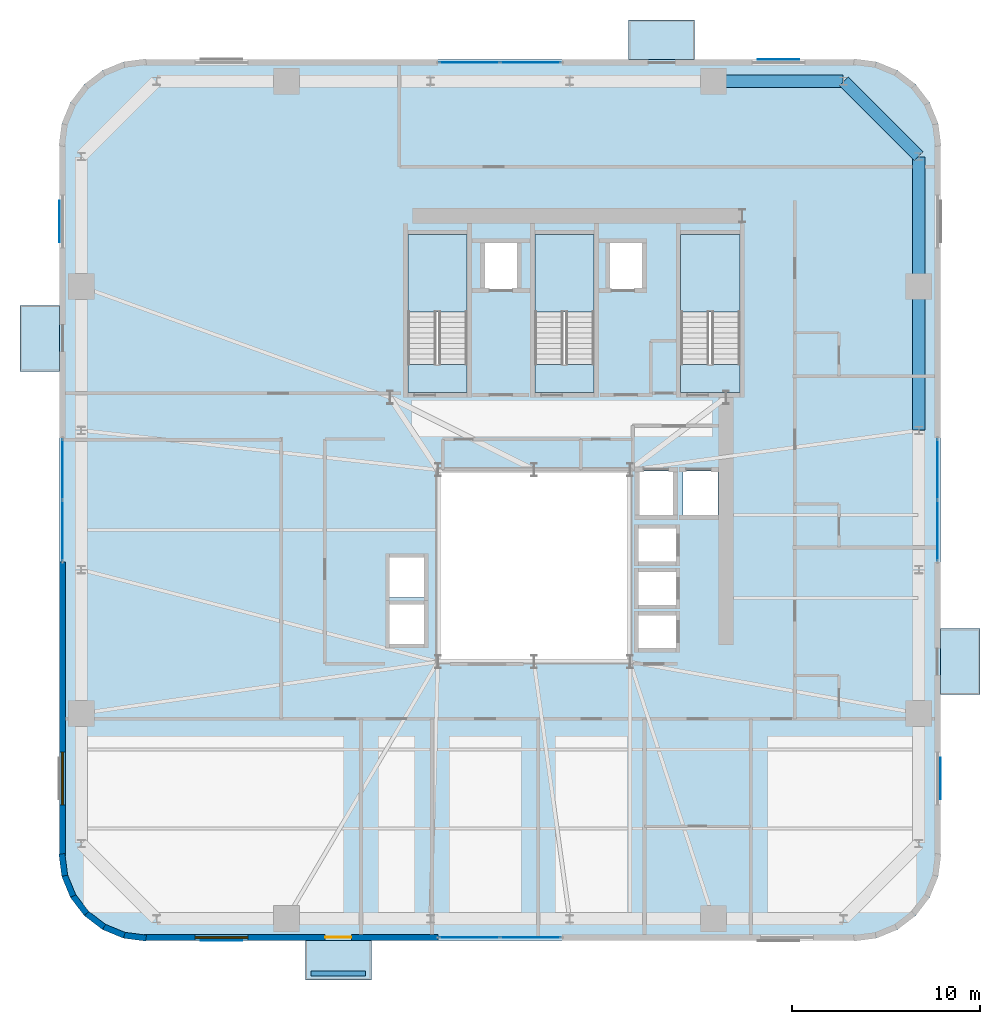
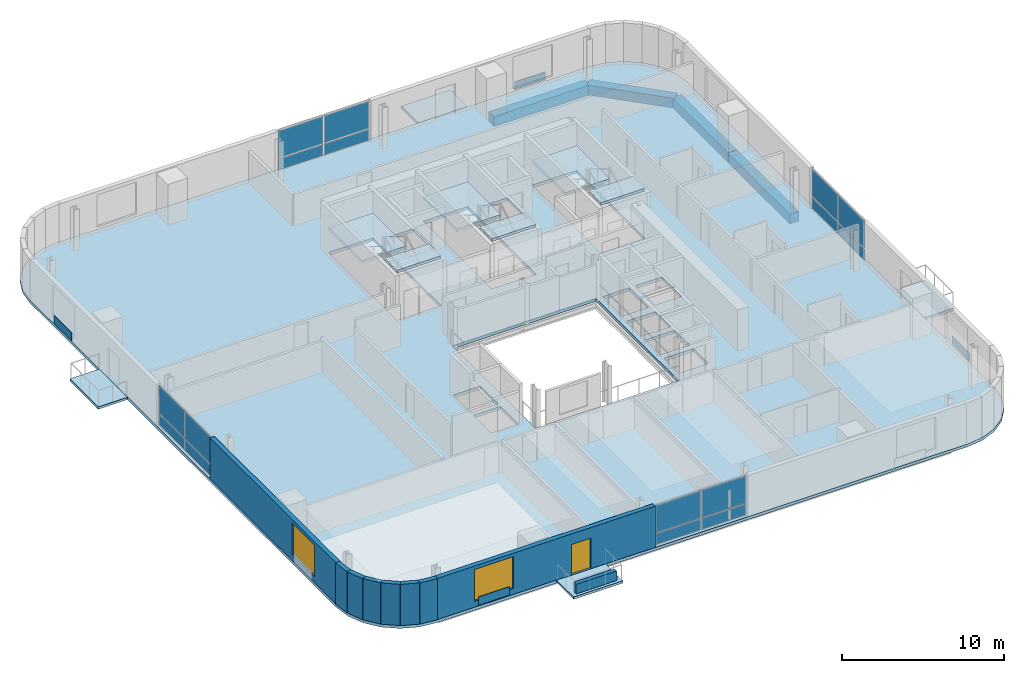
# One storey, part 6 of 13: 20 plates, 11 slabs, 9 walls, 4 beams, 2 windows, 1 door, 3 openings, 7 elements without a shape of their own.
"""IFC4 building model written with IfcOpenShell, lengths in metres."""

from ifc_helpers import new_model, si_unit, direction, frame, frame_2d, origin, origin_2d, place, context, subcontext, project, spatial, polyline, rectangle, outline, extrude, source, transform, mapped, material, layer, layer_set, material_profile, profile_set, type_object, element, fill, aggregate, save


model = new_model("IFC4")

# Units and contexts
model_context = context("Model", 3, precision=1e-05, world=origin(), true_north=direction((0.0, 1.0)))
body_context = subcontext(model_context, "Body", "Model", "MODEL_VIEW")
ifc_project = project(units=[si_unit("LENGTHUNIT", "METRE"), si_unit("AREAUNIT", "SQUARE_METRE"), si_unit("VOLUMEUNIT", "CUBIC_METRE"), si_unit("PLANEANGLEUNIT", "RADIAN"), si_unit("MASSUNIT", "GRAM", prefix="KILO")], contexts=[model_context])

# Site, building, storey
site_placement = place(None, origin())
site = spatial("IfcSite", under=ifc_project, at=site_placement, CompositionType="ELEMENT")
building_placement = place(site_placement, origin())
building = spatial("IfcBuilding", under=site, at=building_placement, Name="Vardaveli Station Tower", CompositionType="ELEMENT")
storey_placement = place(building_placement, frame((0.0, 0.0, 233.550048828125)))
storey = spatial("IfcBuildingStorey", under=building, at=storey_placement, Name="L60", CompositionType="ELEMENT", Elevation=233.550048828125)

# Beams
ifc_material_1 = material(Name="Precast concrete C45/55", Category="concrete")
ifc_material_profile = material_profile(ifc_material_1, rectangle(XDim=0.64990234375, YDim=0.75, at=origin_2d()), Name="LPB 650x750")
ifc_profile_set = profile_set([ifc_material_profile], Name="Precast concrete C45/55")
beam_type = type_object("IfcBeamType", Name="BM-LPB-750", PredefinedType="BEAM", material=ifc_profile_set)
shared_shape_1 = source(origin(), body_context, "Body", "SweptSolid", [
    extrude(rectangle(XDim=0.64990234375, YDim=0.75, at=origin_2d()), origin(), (0.0, 0.0, 1.0), 7.60009765625),
])
beam_1_placement = place(storey_placement, frame((56.75, 28.919921875, -0.594970703125), z_axis=(0.0, 1.0, 0.0), x_axis=(-1.0, 0.0, 0.0)))
element("IfcBeam", 1, at=beam_1_placement, inside=storey, type_object=beam_type, Name="RBM-L60-09", PredefinedType="BEAM", context=body_context, shape_type="MappedRepresentation", body=[
    mapped(shared_shape_1, transform((0.0, 0.0, 0.0), scale=1.0)),
])
shared_shape_2 = source(origin(), body_context, "Body", "SweptSolid", [
    extrude(rectangle(XDim=0.64990234375, YDim=0.75, at=origin_2d()), origin(), (0.0, 0.0, 1.0), 6.869873046875),
])
for number, where, z_axis, x_axis, name in (
    (2, (56.75, 36.56005859375, -0.594970703125), (0.0, 1.0, 0.0), (-1.0, 0.0, 0.0), "RBM-L60-10"),
    (3, (52.72998046875, 47.449951171875, -0.594970703125), (-1.0, 0.0, 0.0), (0.0, -1.0, 0.0), "RBM-L60-12"),
):
    element("IfcBeam", number, at=place(storey_placement, frame(where, z_axis=z_axis, x_axis=x_axis)), inside=storey, type_object=beam_type, Name=name, PredefinedType="BEAM", context=body_context, shape_type="MappedRepresentation", body=[
        mapped(shared_shape_2, transform((0.0, 0.0, 0.0), scale=1.0)),
    ])
shared_shape_3 = source(origin(), body_context, "Body", "SweptSolid", [
    extrude(rectangle(XDim=0.64990234375, YDim=0.75, at=origin_2d()), origin(), (0.0, 0.0, 1.0), 5.61669921875),
])
beam_2_placement = place(storey_placement, frame((56.73583984375, 43.464111328125, -0.594970703125), z_axis=(-0.707106781187, 0.707106781187, 0.0), x_axis=(-0.707106781187, -0.707106781187, 0.0)))
element("IfcBeam", 4, at=beam_2_placement, inside=storey, type_object=beam_type, Name="RBM-L60-11", PredefinedType="BEAM", context=body_context, shape_type="MappedRepresentation", body=[
    mapped(shared_shape_3, transform((0.0, 0.0, 0.0), scale=1.0)),
])

# Stair, slabs
ifc_material_2 = material(Name="Concrete C40/50", Category="concrete")
stair_type = type_object("IfcStairType", Name="STR-CORE-1500", PredefinedType="HALF_TURN_STAIR", material=ifc_material_2)
stair_1_placement = place(storey_placement, origin())
stair_1 = element("IfcStair", 5, at=stair_1_placement, inside=storey, type_object=stair_type, Name="L60 ST-1", PredefinedType="HALF_TURN_STAIR")
ifc_layer_1 = layer(ifc_material_2, 0.199951171875, Name="Concrete C40/50")
ifc_layer_set_1 = layer_set([ifc_layer_1], Name="Concrete C40/50")
slab_type_1 = type_object("IfcSlabType", Name="SLB-LAND-200", PredefinedType="LANDING", material=ifc_layer_set_1)
slab_1_placement = place(storey_placement, frame((0.0, 0.0, 1.675048828125)))
slab_1 = element("IfcSlab", 6, at=slab_1_placement, type_object=slab_type_1, Name="ST-1 landing 1", PredefinedType="LANDING", context=body_context, shape_type="SweptSolid", body=[
    extrude(outline(polyline([(32.75, 35.199951171875), (32.75, 39.300048828125), (29.60009765625, 39.300048828125), (29.60009765625, 35.199951171875), (32.75, 35.199951171875)])), origin(), (0.0, 0.0, 1.0), 0.199951171875),
])
slab_2_placement = place(storey_placement, frame((0.0, 0.0, 3.550048828125)))
slab_2 = element("IfcSlab", 7, at=slab_2_placement, type_object=slab_type_1, Name="ST-1 landing 2", PredefinedType="LANDING", context=body_context, shape_type="SweptSolid", body=[
    extrude(outline(polyline([(32.75, 30.89990234375), (32.75, 32.39990234375), (29.60009765625, 32.39990234375), (29.60009765625, 30.89990234375), (32.75, 30.89990234375)])), origin(), (0.0, 0.0, 1.0), 0.199951171875),
])
aggregate(stair_1, [slab_1, slab_2])

stair_2_placement = place(storey_placement, origin())
stair_2 = element("IfcStair", 8, at=stair_2_placement, inside=storey, type_object=stair_type, Name="L60 ST-2", PredefinedType="HALF_TURN_STAIR")
slab_3_placement = place(storey_placement, frame((0.0, 0.0, 1.675048828125)))
slab_3 = element("IfcSlab", 9, at=slab_3_placement, type_object=slab_type_1, Name="ST-2 landing 1", PredefinedType="LANDING", context=body_context, shape_type="SweptSolid", body=[
    extrude(outline(polyline([(39.5, 35.199951171875), (39.5, 39.300048828125), (36.35009765625, 39.300048828125), (36.35009765625, 35.199951171875), (39.5, 35.199951171875)])), origin(), (0.0, 0.0, 1.0), 0.199951171875),
])
slab_4_placement = place(storey_placement, frame((0.0, 0.0, 3.550048828125)))
slab_4 = element("IfcSlab", 10, at=slab_4_placement, type_object=slab_type_1, Name="ST-2 landing 2", PredefinedType="LANDING", context=body_context, shape_type="SweptSolid", body=[
    extrude(outline(polyline([(39.5, 30.89990234375), (39.5, 32.39990234375), (36.35009765625, 32.39990234375), (36.35009765625, 30.89990234375), (39.5, 30.89990234375)])), origin(), (0.0, 0.0, 1.0), 0.199951171875),
])
aggregate(stair_2, [slab_3, slab_4])

stair_3_placement = place(storey_placement, origin())
stair_3 = element("IfcStair", 11, at=stair_3_placement, inside=storey, type_object=stair_type, Name="L60 ST-3", PredefinedType="HALF_TURN_STAIR")
slab_5_placement = place(storey_placement, frame((0.0, 0.0, 1.675048828125)))
slab_5 = element("IfcSlab", 12, at=slab_5_placement, type_object=slab_type_1, Name="ST-3 landing 1", PredefinedType="LANDING", context=body_context, shape_type="SweptSolid", body=[
    extrude(outline(polyline([(47.25, 35.199951171875), (47.25, 39.300048828125), (44.10009765625, 39.300048828125), (44.10009765625, 35.199951171875), (47.25, 35.199951171875)])), origin(), (0.0, 0.0, 1.0), 0.199951171875),
])
slab_6_placement = place(storey_placement, frame((0.0, 0.0, 3.550048828125)))
slab_6 = element("IfcSlab", 13, at=slab_6_placement, type_object=slab_type_1, Name="ST-3 landing 2", PredefinedType="LANDING", context=body_context, shape_type="SweptSolid", body=[
    extrude(outline(polyline([(47.25, 30.89990234375), (47.25, 32.39990234375), (44.10009765625, 32.39990234375), (44.10009765625, 30.89990234375), (47.25, 30.89990234375)])), origin(), (0.0, 0.0, 1.0), 0.199951171875),
])
aggregate(stair_3, [slab_5, slab_6])

# Slabs
ifc_layer_2 = layer(ifc_material_1, 0.179931640625, Name="Precast concrete C45/55")
ifc_layer_set_2 = layer_set([ifc_layer_2], Name="Precast concrete C45/55")
slab_type_2 = type_object("IfcSlabType", Name="SLB-LOGGIA-180", PredefinedType="FLOOR", material=ifc_layer_set_2)
slab_7_placement = place(storey_placement, frame((0.0, 0.0, -0.179931640625)))
element("IfcSlab", 14, at=slab_7_placement, inside=storey, type_object=slab_type_2, Name="LOG-L60-S", PredefinedType="FLOOR", context=body_context, shape_type="SweptSolid", body=[
    extrude(outline(polyline([(24.160400390625, -0.300048828125), (27.660400390625, -0.300048828125), (27.660400390625, 1.800048828125), (24.160400390625, 1.800048828125), (24.160400390625, -0.300048828125)])), origin(), (0.0, 0.0, 1.0), 0.179931640625),
])
slab_8_placement = place(storey_placement, frame((0.0, 0.0, -0.179931640625)))
element("IfcSlab", 15, at=slab_8_placement, inside=storey, type_object=slab_type_2, Name="LOG-L60-N", PredefinedType="FLOOR", context=body_context, shape_type="SweptSolid", body=[
    extrude(outline(polyline([(41.339599609375, 48.60009765625), (44.839599609375, 48.60009765625), (44.839599609375, 50.699951171875), (41.339599609375, 50.699951171875), (41.339599609375, 48.60009765625)])), origin(), (0.0, 0.0, 1.0), 0.179931640625),
])
slab_9_placement = place(storey_placement, frame((0.0, 0.0, -0.179931640625)))
element("IfcSlab", 16, at=slab_9_placement, inside=storey, type_object=slab_type_2, Name="LOG-L60-W", PredefinedType="FLOOR", context=body_context, shape_type="SweptSolid", body=[
    extrude(outline(polyline([(9.0, 32.03955078125), (11.10009765625, 32.03955078125), (11.10009765625, 35.53955078125), (9.0, 35.53955078125), (9.0, 32.03955078125)])), origin(), (0.0, 0.0, 1.0), 0.179931640625),
])
slab_10_placement = place(storey_placement, frame((0.0, 0.0, -0.179931640625)))
element("IfcSlab", 17, at=slab_10_placement, inside=storey, type_object=slab_type_2, Name="LOG-L60-E", PredefinedType="FLOOR", context=body_context, shape_type="SweptSolid", body=[
    extrude(outline(polyline([(57.89990234375, 14.8603515625), (60.0, 14.8603515625), (60.0, 18.3603515625), (57.89990234375, 18.3603515625), (57.89990234375, 14.8603515625)])), origin(), (0.0, 0.0, 1.0), 0.179931640625),
])
ifc_layer_3 = layer(ifc_material_2, 0.219970703125, Name="Concrete C40/50")
ifc_layer_set_3 = layer_set([ifc_layer_3], Name="Concrete C40/50")
slab_type_3 = type_object("IfcSlabType", Name="SLB-TOW-220", PredefinedType="FLOOR", material=ifc_layer_set_3)
slab_11_placement = place(storey_placement, frame((0.0, 0.0, -0.219970703125)))
element("IfcSlab", 18, at=slab_11_placement, inside=storey, type_object=slab_type_3, Name="SLB-L60-MAIN", PredefinedType="FLOOR", context=body_context, shape_type="SweptSolid", body=[
    extrude(outline(polyline([(11.10009765625, 6.300048828125), (11.25341796875, 5.13525390625), (11.702880859375, 4.050048828125), (12.41796875, 3.117919921875), (13.35009765625, 2.40283203125), (14.435302734375, 1.953369140625), (15.60009765625, 1.800048828125), (53.39990234375, 1.800048828125), (54.564697265625, 1.953369140625), (55.64990234375, 2.40283203125), (56.58203125, 3.117919921875), (57.297119140625, 4.050048828125), (57.74658203125, 5.13525390625), (57.89990234375, 6.300048828125), (57.89990234375, 44.10009765625), (57.74658203125, 45.2646484375), (57.297119140625, 46.35009765625), (56.58203125, 47.281982421875), (55.64990234375, 47.9970703125), (54.564697265625, 48.44677734375), (53.39990234375, 48.60009765625), (15.60009765625, 48.60009765625), (14.435302734375, 48.44677734375), (13.35009765625, 47.9970703125), (12.41796875, 47.281982421875), (11.702880859375, 46.35009765625), (11.25341796875, 45.2646484375), (11.10009765625, 44.10009765625), (11.10009765625, 6.300048828125)]), holes=[polyline([(31.199951171875, 16.60009765625), (41.39990234375, 16.60009765625), (41.39990234375, 26.800048828125), (31.199951171875, 26.800048828125), (31.199951171875, 16.60009765625)]), polyline([(32.75, 30.89990234375), (32.75, 39.300048828125), (29.60009765625, 39.300048828125), (29.60009765625, 30.89990234375), (32.75, 30.89990234375)]), polyline([(39.5, 30.89990234375), (39.5, 39.300048828125), (36.35009765625, 39.300048828125), (36.35009765625, 30.89990234375), (39.5, 30.89990234375)]), polyline([(47.25, 30.89990234375), (47.25, 39.300048828125), (44.10009765625, 39.300048828125), (44.10009765625, 30.89990234375), (47.25, 30.89990234375)]), polyline([(33.659912109375, 36.409912109375), (35.43994140625, 36.409912109375), (35.43994140625, 38.889892578125), (33.659912109375, 38.889892578125), (33.659912109375, 36.409912109375)]), polyline([(40.31005859375, 36.409912109375), (42.090087890625, 36.409912109375), (42.090087890625, 38.889892578125), (40.31005859375, 38.889892578125), (40.31005859375, 36.409912109375)]), polyline([(41.81005859375, 21.885009765625), (43.889892578125, 21.885009765625), (43.889892578125, 23.715087890625), (41.81005859375, 23.715087890625), (41.81005859375, 21.885009765625)]), polyline([(41.81005859375, 19.5849609375), (43.889892578125, 19.5849609375), (43.889892578125, 21.4150390625), (41.81005859375, 21.4150390625), (41.81005859375, 19.5849609375)]), polyline([(41.81005859375, 17.284912109375), (43.889892578125, 17.284912109375), (43.889892578125, 19.114990234375), (41.81005859375, 19.114990234375), (41.81005859375, 17.284912109375)]), polyline([(28.5849609375, 17.510009765625), (30.514892578125, 17.510009765625), (30.514892578125, 19.68994140625), (28.5849609375, 19.68994140625), (28.5849609375, 17.510009765625)]), polyline([(28.5849609375, 20.010009765625), (30.514892578125, 20.010009765625), (30.514892578125, 22.18994140625), (28.5849609375, 22.18994140625), (28.5849609375, 20.010009765625)]), polyline([(41.860107421875, 24.360107421875), (43.739990234375, 24.360107421875), (43.739990234375, 26.739990234375), (41.860107421875, 26.739990234375), (41.860107421875, 24.360107421875)]), polyline([(44.2099609375, 24.360107421875), (46.090087890625, 24.360107421875), (46.090087890625, 26.739990234375), (44.2099609375, 26.739990234375), (44.2099609375, 24.360107421875)])]), origin(), (0.0, 0.0, 1.0), 0.219970703125),
])

# Plates
ifc_material_3 = material(Name="Honed Caucasian travertine stone", Category="masonry")
ifc_layer_4 = layer(ifc_material_3, 0.034912109375, Name="Honed Caucasian travertine stone")
ifc_layer_set_4 = layer_set([ifc_layer_4], Name="Honed Caucasian travertine stone")
plate_type_1 = type_object("IfcPlateType", Name="PLT-TRAV-35", PredefinedType="SHEET", material=ifc_layer_set_4)
shared_shape_4 = source(origin(), body_context, "Body", "SweptSolid", [
    extrude(rectangle(XDim=2.199951171875, YDim=0.034912109375, at=origin_2d()), origin(), (0.0, 0.0, 1.0), 0.6201171875),
])
for number, where, z_axis, x_axis, name in (
    (19, (19.705078125, 1.79052734375, 0.06982421875), (0.0, 0.0, 1.0), (1.0, 0.0, 0.0), "PLT-TR-L60-S"),
    (20, (49.294921875, 48.609619140625, 0.06982421875), (0.0, 0.0, 1.0), (1.0, 0.0, 0.0), "PLT-TR-L60-N"),
    (21, (11.090576171875, 39.9951171875, 0.06982421875), (0.0, 0.0, 1.0), (0.0, 1.0, 0.0), "PLT-TR-L60-W"),
    (22, (57.909423828125, 10.405029296875, 0.06982421875), (0.0, 0.0, 1.0), (0.0, 1.0, 0.0), "PLT-TR-L60-E"),
):
    element("IfcPlate", number, at=place(storey_placement, frame(where, z_axis=z_axis, x_axis=x_axis)), inside=storey, type_object=plate_type_1, Name=name, PredefinedType="SHEET", context=body_context, shape_type="MappedRepresentation", body=[
        mapped(shared_shape_4, transform((0.0, 0.0, 0.0), scale=1.0)),
    ])

# Curtain wall, plates
ifc_material_4 = material(Name="Travertine stone and solar-control glass", Category="masonry")
curtain_wall_type = type_object("IfcCurtainWallType", Name="CW-SYS-5", PredefinedType="NOTDEFINED", material=ifc_material_4)
curtain_wall_1_placement = place(storey_placement, origin())
curtain_wall_1 = element("IfcCurtainWall", 23, at=curtain_wall_1_placement, inside=storey, type_object=curtain_wall_type, Name="CW-L60-S", PredefinedType="NOTDEFINED")
ifc_material_5 = material(Name="Double-glazed low-E solar-control glass", Category="glass")
ifc_layer_5 = layer(ifc_material_5, 0.031982421875, Name="Double-glazed low-E solar-control glass")
ifc_layer_set_5 = layer_set([ifc_layer_5], Name="Double-glazed low-E solar-control glass")
plate_type_2 = type_object("IfcPlateType", Name="CW-SYS-5-PAN", PredefinedType="CURTAIN_PANEL", material=ifc_layer_set_5)
shared_shape_5 = source(origin(), body_context, "Body", "SweptSolid", [
    extrude(rectangle(XDim=3.179931640625, YDim=0.031982421875, at=origin_2d()), origin(), (0.0, 0.0, 1.0), 0.830078125),
])
plate_1_placement = place(storey_placement, frame((32.8701171875, 1.9599609375, 0.079833984375), z_axis=(0.0, 0.0, 1.0), x_axis=(1.0, 0.0, 0.0)))
plate_1 = element("IfcPlate", 24, at=plate_1_placement, type_object=plate_type_2, Name="CW-5 panel 1.1", PredefinedType="CURTAIN_PANEL", context=body_context, shape_type="MappedRepresentation", body=[
    mapped(shared_shape_5, transform((0.0, 0.0, 0.0), scale=1.0)),
])
plate_2_placement = place(storey_placement, frame((36.1298828125, 1.9599609375, 0.079833984375), z_axis=(0.0, 0.0, 1.0), x_axis=(1.0, 0.0, 0.0)))
plate_2 = element("IfcPlate", 25, at=plate_2_placement, type_object=plate_type_2, Name="CW-5 panel 2.1", PredefinedType="CURTAIN_PANEL", context=body_context, shape_type="MappedRepresentation", body=[
    mapped(shared_shape_5, transform((0.0, 0.0, 0.0), scale=1.0)),
])

curtain_wall_2_placement = place(storey_placement, origin())
curtain_wall_2 = element("IfcCurtainWall", 26, at=curtain_wall_2_placement, inside=storey, type_object=curtain_wall_type, Name="CW-L60-N", PredefinedType="NOTDEFINED")
plate_3_placement = place(storey_placement, frame((36.1298828125, 48.43994140625, 0.079833984375), z_axis=(0.0, 0.0, 1.0), x_axis=(-1.0, 0.0, 0.0)))
plate_3 = element("IfcPlate", 27, at=plate_3_placement, type_object=plate_type_2, Name="CW-5 panel 1.1", PredefinedType="CURTAIN_PANEL", context=body_context, shape_type="MappedRepresentation", body=[
    mapped(shared_shape_5, transform((0.0, 0.0, 0.0), scale=1.0)),
])
plate_4_placement = place(storey_placement, frame((32.8701171875, 48.43994140625, 0.079833984375), z_axis=(0.0, 0.0, 1.0), x_axis=(-1.0, 0.0, 0.0)))
plate_4 = element("IfcPlate", 28, at=plate_4_placement, type_object=plate_type_2, Name="CW-5 panel 2.1", PredefinedType="CURTAIN_PANEL", context=body_context, shape_type="MappedRepresentation", body=[
    mapped(shared_shape_5, transform((0.0, 0.0, 0.0), scale=1.0)),
])

curtain_wall_3_placement = place(storey_placement, origin())
curtain_wall_3 = element("IfcCurtainWall", 29, at=curtain_wall_3_placement, inside=storey, type_object=curtain_wall_type, Name="CW-L60-W", PredefinedType="NOTDEFINED")
plate_5_placement = place(storey_placement, frame((11.260009765625, 26.830078125, 0.079833984375), z_axis=(0.0, 0.0, 1.0), x_axis=(0.0, -1.0, 0.0)))
plate_5 = element("IfcPlate", 30, at=plate_5_placement, type_object=plate_type_2, Name="CW-5 panel 1.1", PredefinedType="CURTAIN_PANEL", context=body_context, shape_type="MappedRepresentation", body=[
    mapped(shared_shape_5, transform((0.0, 0.0, 0.0), scale=1.0)),
])
plate_6_placement = place(storey_placement, frame((11.260009765625, 23.570068359375, 0.079833984375), z_axis=(0.0, 0.0, 1.0), x_axis=(0.0, -1.0, 0.0)))
plate_6 = element("IfcPlate", 31, at=plate_6_placement, type_object=plate_type_2, Name="CW-5 panel 2.1", PredefinedType="CURTAIN_PANEL", context=body_context, shape_type="MappedRepresentation", body=[
    mapped(shared_shape_5, transform((0.0, 0.0, 0.0), scale=1.0)),
])

curtain_wall_4_placement = place(storey_placement, origin())
curtain_wall_4 = element("IfcCurtainWall", 32, at=curtain_wall_4_placement, inside=storey, type_object=curtain_wall_type, Name="CW-L60-E", PredefinedType="NOTDEFINED")
plate_7_placement = place(storey_placement, frame((57.739990234375, 23.570068359375, 0.079833984375), z_axis=(0.0, 0.0, 1.0), x_axis=(0.0, 1.0, 0.0)))
plate_7 = element("IfcPlate", 33, at=plate_7_placement, type_object=plate_type_2, Name="CW-5 panel 1.1", PredefinedType="CURTAIN_PANEL", context=body_context, shape_type="MappedRepresentation", body=[
    mapped(shared_shape_5, transform((0.0, 0.0, 0.0), scale=1.0)),
])
plate_8_placement = place(storey_placement, frame((57.739990234375, 26.830078125, 0.079833984375), z_axis=(0.0, 0.0, 1.0), x_axis=(0.0, 1.0, 0.0)))
plate_8 = element("IfcPlate", 34, at=plate_8_placement, type_object=plate_type_2, Name="CW-5 panel 2.1", PredefinedType="CURTAIN_PANEL", context=body_context, shape_type="MappedRepresentation", body=[
    mapped(shared_shape_5, transform((0.0, 0.0, 0.0), scale=1.0)),
])

# Plate
shared_shape_6 = source(origin(), body_context, "Body", "SweptSolid", [
    extrude(rectangle(XDim=3.179931640625, YDim=0.031982421875, at=origin_2d()), origin(), (0.0, 0.0, 1.0), 2.030029296875),
])
plate_9_placement = place(storey_placement, frame((32.8701171875, 1.9599609375, 0.98974609375), z_axis=(0.0, 0.0, 1.0), x_axis=(1.0, 0.0, 0.0)))
plate_9 = element("IfcPlate", 35, at=plate_9_placement, type_object=plate_type_2, Name="CW-5 panel 1.2", PredefinedType="CURTAIN_PANEL", context=body_context, shape_type="MappedRepresentation", body=[
    mapped(shared_shape_6, transform((0.0, 0.0, 0.0), scale=1.0)),
])

plate_10_placement = place(storey_placement, frame((36.1298828125, 1.9599609375, 0.98974609375), z_axis=(0.0, 0.0, 1.0), x_axis=(1.0, 0.0, 0.0)))
plate_10 = element("IfcPlate", 36, at=plate_10_placement, type_object=plate_type_2, Name="CW-5 panel 2.2", PredefinedType="CURTAIN_PANEL", context=body_context, shape_type="MappedRepresentation", body=[
    mapped(shared_shape_6, transform((0.0, 0.0, 0.0), scale=1.0)),
])

aggregate(curtain_wall_1, [plate_1, plate_9, plate_2, plate_10])

plate_11_placement = place(storey_placement, frame((36.1298828125, 48.43994140625, 0.98974609375), z_axis=(0.0, 0.0, 1.0), x_axis=(-1.0, 0.0, 0.0)))
plate_11 = element("IfcPlate", 37, at=plate_11_placement, type_object=plate_type_2, Name="CW-5 panel 1.2", PredefinedType="CURTAIN_PANEL", context=body_context, shape_type="MappedRepresentation", body=[
    mapped(shared_shape_6, transform((0.0, 0.0, 0.0), scale=1.0)),
])

plate_12_placement = place(storey_placement, frame((32.8701171875, 48.43994140625, 0.98974609375), z_axis=(0.0, 0.0, 1.0), x_axis=(-1.0, 0.0, 0.0)))
plate_12 = element("IfcPlate", 38, at=plate_12_placement, type_object=plate_type_2, Name="CW-5 panel 2.2", PredefinedType="CURTAIN_PANEL", context=body_context, shape_type="MappedRepresentation", body=[
    mapped(shared_shape_6, transform((0.0, 0.0, 0.0), scale=1.0)),
])

aggregate(curtain_wall_2, [plate_3, plate_11, plate_4, plate_12])

plate_13_placement = place(storey_placement, frame((11.260009765625, 26.830078125, 0.98974609375), z_axis=(0.0, 0.0, 1.0), x_axis=(0.0, -1.0, 0.0)))
plate_13 = element("IfcPlate", 39, at=plate_13_placement, type_object=plate_type_2, Name="CW-5 panel 1.2", PredefinedType="CURTAIN_PANEL", context=body_context, shape_type="MappedRepresentation", body=[
    mapped(shared_shape_6, transform((0.0, 0.0, 0.0), scale=1.0)),
])

plate_14_placement = place(storey_placement, frame((11.260009765625, 23.570068359375, 0.98974609375), z_axis=(0.0, 0.0, 1.0), x_axis=(0.0, -1.0, 0.0)))
plate_14 = element("IfcPlate", 40, at=plate_14_placement, type_object=plate_type_2, Name="CW-5 panel 2.2", PredefinedType="CURTAIN_PANEL", context=body_context, shape_type="MappedRepresentation", body=[
    mapped(shared_shape_6, transform((0.0, 0.0, 0.0), scale=1.0)),
])

aggregate(curtain_wall_3, [plate_5, plate_13, plate_6, plate_14])

plate_15_placement = place(storey_placement, frame((57.739990234375, 23.570068359375, 0.98974609375), z_axis=(0.0, 0.0, 1.0), x_axis=(0.0, 1.0, 0.0)))
plate_15 = element("IfcPlate", 41, at=plate_15_placement, type_object=plate_type_2, Name="CW-5 panel 1.2", PredefinedType="CURTAIN_PANEL", context=body_context, shape_type="MappedRepresentation", body=[
    mapped(shared_shape_6, transform((0.0, 0.0, 0.0), scale=1.0)),
])

plate_16_placement = place(storey_placement, frame((57.739990234375, 26.830078125, 0.98974609375), z_axis=(0.0, 0.0, 1.0), x_axis=(0.0, 1.0, 0.0)))
plate_16 = element("IfcPlate", 42, at=plate_16_placement, type_object=plate_type_2, Name="CW-5 panel 2.2", PredefinedType="CURTAIN_PANEL", context=body_context, shape_type="MappedRepresentation", body=[
    mapped(shared_shape_6, transform((0.0, 0.0, 0.0), scale=1.0)),
])

aggregate(curtain_wall_4, [plate_7, plate_15, plate_8, plate_16])

# Wall
ifc_layer_6 = layer(ifc_material_1, 0.280029296875, Name="Precast concrete C45/55")
ifc_layer_set_6 = layer_set([ifc_layer_6], Name="Precast concrete C45/55")
wall_type_1 = type_object("IfcWallType", Name="WAL-PARAPET-280", PredefinedType="SOLIDWALL", material=ifc_layer_set_6)
shared_shape_7 = source(origin(), body_context, "Body", "SweptSolid", [
    extrude(rectangle(XDim=2.89990234375, YDim=0.280029296875, at=frame_2d((1.449951171875, 0.0))), origin(), (0.0, 0.0, 1.0), 0.719970703125),
])
wall_1_placement = place(storey_placement, frame((24.46044921875, 0.050048828125, 0.0), z_axis=(0.0, 0.0, 1.0), x_axis=(1.0, 0.0, 0.0)))
element("IfcWall", 43, at=wall_1_placement, inside=storey, type_object=wall_type_1, Name="Terrace Travertine Planter L60", PredefinedType="SOLIDWALL", context=body_context, shape_type="MappedRepresentation", body=[
    mapped(shared_shape_7, transform((0.0, 0.0, 0.0), scale=1.0)),
])

# Wall, openings, door, window
ifc_layer_7 = layer(ifc_material_1, 0.320068359375, Name="Precast concrete C45/55")
ifc_layer_set_7 = layer_set([ifc_layer_7], Name="Precast concrete C45/55")
wall_type_2 = type_object("IfcWallType", Name="WAL-EXT-STONE-320", PredefinedType="SOLIDWALL", material=ifc_layer_set_7)
shared_shape_8 = source(origin(), body_context, "Body", "SweptSolid", [
    extrude(rectangle(XDim=15.599853515625, YDim=0.320068359375, at=frame_2d((7.7998046875, 0.0))), origin(), (0.0, 0.0, 1.0), 3.099853515625),
])
wall_2_placement = place(storey_placement, frame((15.60009765625, 1.9599609375, 0.0), z_axis=(0.0, 0.0, 1.0), x_axis=(1.0, 0.0, 0.0)))
wall_2 = element("IfcWall", 44, at=wall_2_placement, inside=storey, type_object=wall_type_2, Name="EW-L60-S1", PredefinedType="SOLIDWALL", context=body_context, shape_type="MappedRepresentation", body=[
    mapped(shared_shape_8, transform((0.0, 0.0, 0.0), scale=1.0)),
])
shared_shape_9 = source(origin(), body_context, "Body", "SweptSolid", [
    extrude(rectangle(XDim=1.39990234375, YDim=2.300048828125, at=frame_2d((0.699951171875, 1.14990234375))), frame((0.0, 0.169921875, 0.0), z_axis=(0.0, -1.0, 0.0), x_axis=(1.0, 0.0, 0.0)), (0.0, 0.0, 1.0), 0.340087890625),
])
opening_1_placement = place(wall_2_placement, frame((9.6103515625, 0.0, 0.0)))
opening_1 = element("IfcOpeningElement", 45, at=opening_1_placement, cuts=wall_2, Name="Opening D-09", PredefinedType="OPENING", context=body_context, shape_type="MappedRepresentation", body=[
    mapped(shared_shape_9, transform((0.0, 0.0, 0.0), scale=1.0)),
])
shared_shape_10 = source(origin(), body_context, "Body", "SweptSolid", [
    extrude(rectangle(XDim=2.800048828125, YDim=2.39990234375, at=frame_2d((1.39990234375, 1.199951171875))), frame((0.0, 0.169921875, 0.0), z_axis=(0.0, -1.0, 0.0), x_axis=(1.0, 0.0, 0.0)), (0.0, 0.0, 1.0), 0.340087890625),
])
opening_2_placement = place(wall_2_placement, frame((2.705078125, 0.0, 0.43994140625)))
opening_2 = element("IfcOpeningElement", 46, at=opening_2_placement, cuts=wall_2, Name="Opening W-04", PredefinedType="OPENING", context=body_context, shape_type="MappedRepresentation", body=[
    mapped(shared_shape_10, transform((0.0, 0.0, 0.0), scale=1.0)),
])
ifc_material_6 = material(Name="Thermally broken aluminium glass", Category="aluminium")
door_type = type_object("IfcDoorType", Name="DR-LOG-1400x2300", OperationType="DOUBLE_DOOR_SLIDING", PredefinedType="DOOR", material=ifc_material_6)
shared_shape_11 = source(origin(), body_context, "Body", "SweptSolid", [
    extrude(rectangle(XDim=1.39990234375, YDim=2.300048828125, at=frame_2d((0.699951171875, 1.14990234375))), frame((0.0, 0.02490234375, 0.0), z_axis=(0.0, -1.0, 0.0), x_axis=(1.0, 0.0, 0.0)), (0.0, 0.0, 1.0), 0.050048828125),
])
door_placement = place(opening_1_placement, frame((1.39990234375, 0.0, 0.0), z_axis=(0.0, 0.0, 1.0), x_axis=(-1.0, 0.0, 0.0)))
door = element("IfcDoor", 47, at=door_placement, inside=storey, type_object=door_type, Name="DLG-L60-S", OperationType="DOUBLE_DOOR_SLIDING", OverallHeight=2.300048828125, OverallWidth=1.39990234375, PredefinedType="DOOR", context=body_context, shape_type="MappedRepresentation", body=[
    mapped(shared_shape_11, transform((0.0, 0.0, 0.0), scale=1.0)),
])
fill(opening_1, door)
ifc_material_7 = material(Name="Low-E solar-control glass", Category="glass")
window_type = type_object("IfcWindowType", Name="WIN-SUITE-2800x2400", PartitioningType="SINGLE_PANEL", PredefinedType="WINDOW", material=ifc_material_7)
shared_shape_12 = source(origin(), body_context, "Body", "SweptSolid", [
    extrude(rectangle(XDim=2.800048828125, YDim=2.39990234375, at=frame_2d((1.39990234375, 1.199951171875))), frame((0.0, 0.030029296875, 0.0), z_axis=(0.0, -1.0, 0.0), x_axis=(1.0, 0.0, 0.0)), (0.0, 0.0, 1.0), 0.06005859375),
])
window_1_placement = place(opening_2_placement, origin())
window_1 = element("IfcWindow", 48, at=window_1_placement, inside=storey, type_object=window_type, Name="WN-L60-S1", OverallHeight=2.39990234375, OverallWidth=2.800048828125, PartitioningType="SINGLE_PANEL", PredefinedType="WINDOW", context=body_context, shape_type="MappedRepresentation", body=[
    mapped(shared_shape_12, transform((0.0, 0.0, 0.0), scale=1.0)),
])
fill(opening_2, window_1)

# Wall, opening, window
wall_3_placement = place(storey_placement, frame((11.260009765625, 21.89990234375, 0.0), z_axis=(0.0, 0.0, 1.0), x_axis=(0.0, -1.0, 0.0)))
wall_3 = element("IfcWall", 49, at=wall_3_placement, inside=storey, type_object=wall_type_2, Name="EW-L60-W2", PredefinedType="SOLIDWALL", context=body_context, shape_type="MappedRepresentation", body=[
    mapped(shared_shape_8, transform((0.0, 0.0, 0.0), scale=1.0)),
])
opening_3_placement = place(wall_3_placement, frame((10.094970703125, 0.0, 0.43994140625)))
opening_3 = element("IfcOpeningElement", 50, at=opening_3_placement, cuts=wall_3, Name="Opening W-04", PredefinedType="OPENING", context=body_context, shape_type="MappedRepresentation", body=[
    mapped(shared_shape_10, transform((0.0, 0.0, 0.0), scale=1.0)),
])
window_2_placement = place(opening_3_placement, origin())
window_2 = element("IfcWindow", 51, at=window_2_placement, inside=storey, type_object=window_type, Name="WN-L60-W2", OverallHeight=2.39990234375, OverallWidth=2.800048828125, PartitioningType="SINGLE_PANEL", PredefinedType="WINDOW", context=body_context, shape_type="MappedRepresentation", body=[
    mapped(shared_shape_12, transform((0.0, 0.0, 0.0), scale=1.0)),
])
fill(opening_3, window_2)

# Walls
shared_shape_13 = source(origin(), body_context, "Body", "SweptSolid", [
    extrude(rectangle(XDim=1.170654296875, YDim=0.320068359375, at=frame_2d((0.58544921875, 0.0))), origin(), (0.0, 0.0, 1.0), 3.099853515625),
])
wall_4_placement = place(storey_placement, frame((11.224365234375, 6.400634765625, 0.0), z_axis=(0.0, 0.0, 1.0), x_axis=(0.128269133229, -0.991739395941, 0.0)))
element("IfcWall", 52, at=wall_4_placement, inside=storey, type_object=wall_type_2, Name="EW-L60-CR1-1", PredefinedType="SOLIDWALL", context=body_context, shape_type="MappedRepresentation", body=[
    mapped(shared_shape_13, transform((0.0, 0.0, 0.0), scale=1.0)),
])
shared_shape_14 = source(origin(), body_context, "Body", "SweptSolid", [
    extrude(rectangle(XDim=1.1689453125, YDim=0.320068359375, at=frame_2d((0.58447265625, 0.0))), origin(), (0.0, 0.0, 1.0), 3.099853515625),
])
for number, where, z_axis, x_axis, name in (
    (53, (11.37451171875, 5.23974609375, 0.0), (0.0, 0.0, 1.0), (0.381127904695, -0.924522320046, 0.0), "EW-L60-CR1-2"),
    (54, (11.820068359375, 4.158935546875, 0.0), (0.0, 0.0, 1.0), (0.608387696831, -0.793639975269, 0.0), "EW-L60-CR1-3"),
):
    element("IfcWall", number, at=place(storey_placement, frame(where, z_axis=z_axis, x_axis=x_axis)), inside=storey, type_object=wall_type_2, Name=name, PredefinedType="SOLIDWALL", context=body_context, shape_type="MappedRepresentation", body=[
        mapped(shared_shape_14, transform((0.0, 0.0, 0.0), scale=1.0)),
    ])
shared_shape_15 = source(origin(), body_context, "Body", "SweptSolid", [
    extrude(rectangle(XDim=1.168701171875, YDim=0.320068359375, at=frame_2d((0.58447265625, 0.0))), origin(), (0.0, 0.0, 1.0), 3.099853515625),
])
wall_5_placement = place(storey_placement, frame((12.53125, 3.231201171875, 0.0), z_axis=(0.0, 0.0, 1.0), x_axis=(0.793663520347, -0.608356981114, 0.0)))
element("IfcWall", 55, at=wall_5_placement, inside=storey, type_object=wall_type_2, Name="EW-L60-CR1-4", PredefinedType="SOLIDWALL", context=body_context, shape_type="MappedRepresentation", body=[
    mapped(shared_shape_15, transform((0.0, 0.0, 0.0), scale=1.0)),
])
shared_shape_16 = source(origin(), body_context, "Body", "SweptSolid", [
    extrude(rectangle(XDim=1.16943359375, YDim=0.320068359375, at=frame_2d((0.584716796875, 0.0))), origin(), (0.0, 0.0, 1.0), 3.099853515625),
])
wall_6_placement = place(storey_placement, frame((13.458740234375, 2.520263671875, 0.0), z_axis=(0.0, 0.0, 1.0), x_axis=(0.924479075121, -0.381232789334, 0.0)))
element("IfcWall", 56, at=wall_6_placement, inside=storey, type_object=wall_type_2, Name="EW-L60-CR1-5", PredefinedType="SOLIDWALL", context=body_context, shape_type="MappedRepresentation", body=[
    mapped(shared_shape_16, transform((0.0, 0.0, 0.0), scale=1.0)),
])
shared_shape_17 = source(origin(), body_context, "Body", "SweptSolid", [
    extrude(rectangle(XDim=1.170166015625, YDim=0.320068359375, at=frame_2d((0.5849609375, 0.0))), origin(), (0.0, 0.0, 1.0), 3.099853515625),
])
wall_7_placement = place(storey_placement, frame((14.539794921875, 2.074462890625, 0.0), z_axis=(0.0, 0.0, 1.0), x_axis=(0.991762485493, -0.128090485085, 0.0)))
element("IfcWall", 57, at=wall_7_placement, inside=storey, type_object=wall_type_2, Name="EW-L60-CR1-6", PredefinedType="SOLIDWALL", context=body_context, shape_type="MappedRepresentation", body=[
    mapped(shared_shape_17, transform((0.0, 0.0, 0.0), scale=1.0)),
])

save(model, "model.ifc")
